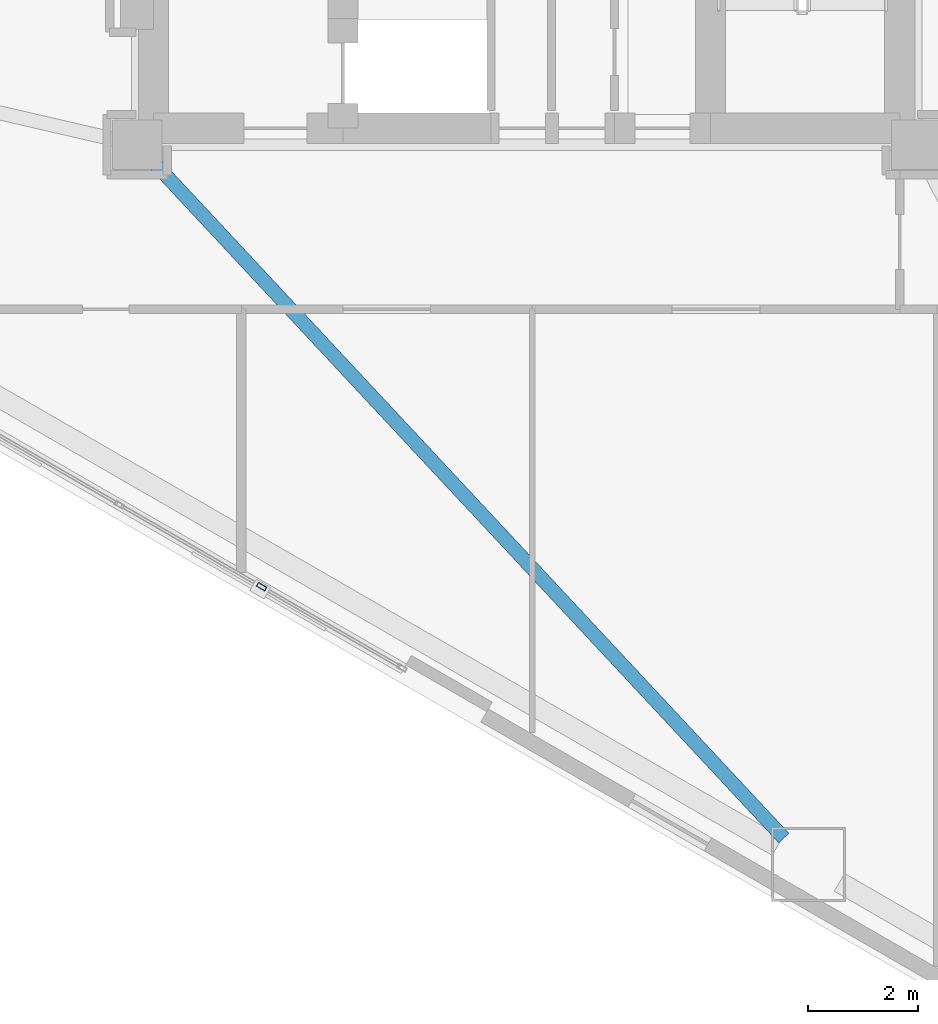
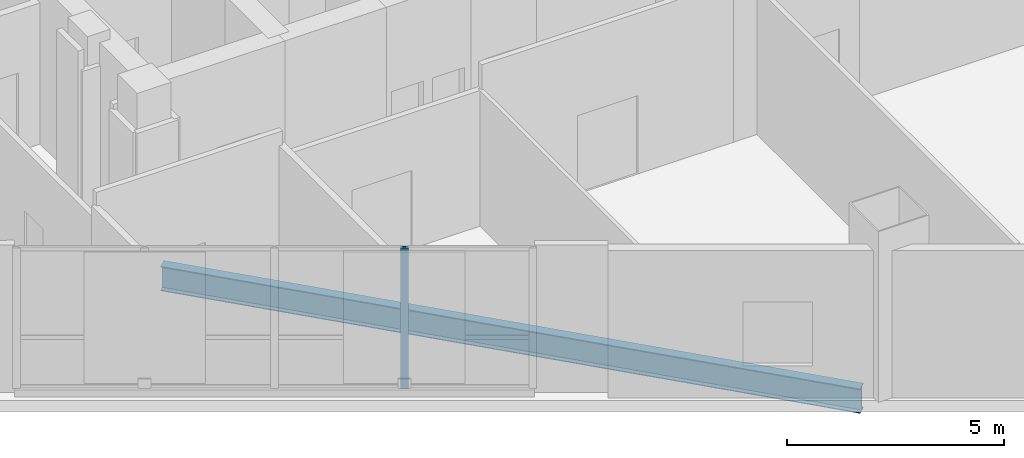
# One storey, part 5 of 27: 1 beam, 1 member, 1 element without a shape of its own.
"""IFC4 building model written with IfcOpenShell, lengths in metres."""

from ifc_helpers import new_model, si_unit, direction, frame, origin, origin_2d, place, context, subcontext, project, spatial, hollow_rectangle, i_section, extrude, material, layer, layer_set, material_profile, profile_set, type_object, element, aggregate, save


model = new_model("IFC4")

# Units and contexts
model_context = context("Model", 3, precision=1e-05, world=origin(), true_north=direction((0.0, 1.0)))
body_context = subcontext(model_context, "Body", "Model", "MODEL_VIEW")
ifc_project = project(units=[si_unit("LENGTHUNIT", "METRE"), si_unit("AREAUNIT", "SQUARE_METRE"), si_unit("VOLUMEUNIT", "CUBIC_METRE"), si_unit("PLANEANGLEUNIT", "RADIAN"), si_unit("MASSUNIT", "GRAM", prefix="KILO")], contexts=[model_context])

# Site, building, storey
site_placement = place(None, origin())
site = spatial("IfcSite", under=ifc_project, at=site_placement, CompositionType="ELEMENT")
building_placement = place(site_placement, origin())
building = spatial("IfcBuilding", under=site, at=building_placement, Name="Mersakhor Tower and Convention Hall", CompositionType="ELEMENT")
storey_placement = place(building_placement, frame((0.0, 0.0, 14.39990234375)))
storey = spatial("IfcBuildingStorey", under=building, at=storey_placement, Name="L03", CompositionType="ELEMENT", Elevation=14.39990234375)

# Beam
ifc_material_1 = material(Name="Steel S355", Category="steel")
ifc_material_profile_1 = material_profile(ifc_material_1, i_section(OverallWidth=0.25439453125, OverallDepth=0.6875, WebThickness=0.01318359375, FlangeThickness=0.02099609375, at=origin_2d()), Name="UB 686x254x152")
ifc_profile_set_1 = profile_set([ifc_material_profile_1], Name="Steel S355")
beam_type = type_object("IfcBeamType", Name="BM-PR-686", PredefinedType="BEAM", material=ifc_profile_set_1)
beam_placement = place(storey_placement, frame((22.193359375, 20.135498046875, -0.66357421875), z_axis=(0.68200435324, -0.731348112845, 0.0), x_axis=(0.731348112845, 0.68200435324, 0.0)))
element("IfcBeam", 1, at=beam_placement, inside=storey, type_object=beam_type, Name="L03 Primary Floor Girder FG-5", PredefinedType="BEAM", context=body_context, shape_type="SweptSolid", body=[
    extrude(i_section(OverallWidth=0.25439453125, OverallDepth=0.6875, WebThickness=0.01318359375, FlangeThickness=0.02099609375, at=origin_2d()), origin(), (0.0, 0.0, 1.0), 16.85205078125),
])

# Curtain wall, member
ifc_material_2 = material(Name="Dark solar low-E aluminium curtain wall", Category="aluminium")
ifc_layer = layer(ifc_material_2, 0.18994140625)
ifc_layer_set = layer_set([ifc_layer], Name="Dark solar low-E aluminium curtain wall")
curtain_wall_type = type_object("IfcCurtainWallType", Name="CW-SYS-04", PredefinedType="USERDEFINED", material=ifc_layer_set)
curtain_wall_placement = place(storey_placement, origin())
curtain_wall = element("IfcCurtainWall", 2, at=curtain_wall_placement, inside=storey, type_object=curtain_wall_type, Name="L03 Dark-Glass Curtain Wall F3-B2", ObjectType="CURTAIN WALL", PredefinedType="USERDEFINED")
ifc_material_3 = material(Name="Anodised aluminium EN AW-6063 T6", Category="aluminium")
ifc_material_profile_2 = material_profile(ifc_material_3, hollow_rectangle(XDim=0.080078125, YDim=0.179931640625, WallThickness=0.008056640625, at=origin_2d()), Name="RHS 180x80x8")
ifc_profile_set_2 = profile_set([ifc_material_profile_2], Name="Anodised aluminium EN AW-6063 T6")
member_type = type_object("IfcMemberType", Name="CWM-180x80", PredefinedType="MULLION", material=ifc_profile_set_2)
member_placement = place(storey_placement, frame((24.167236328125, 12.392822265625, 0.2001953125), z_axis=(0.0, 0.0, 1.0), x_axis=(-0.50000344889, -0.866023412558, 0.0)))
member = element("IfcMember", 3, at=member_placement, type_object=member_type, Name="CW-04 mullion 2", PredefinedType="MULLION", context=body_context, shape_type="SweptSolid", body=[
    extrude(hollow_rectangle(XDim=0.080078125, YDim=0.179931640625, WallThickness=0.008056640625, at=origin_2d()), origin(), (0.0, 0.0, 1.0), 3.93994140625),
])
aggregate(curtain_wall, [member])

save(model, "model.ifc")
